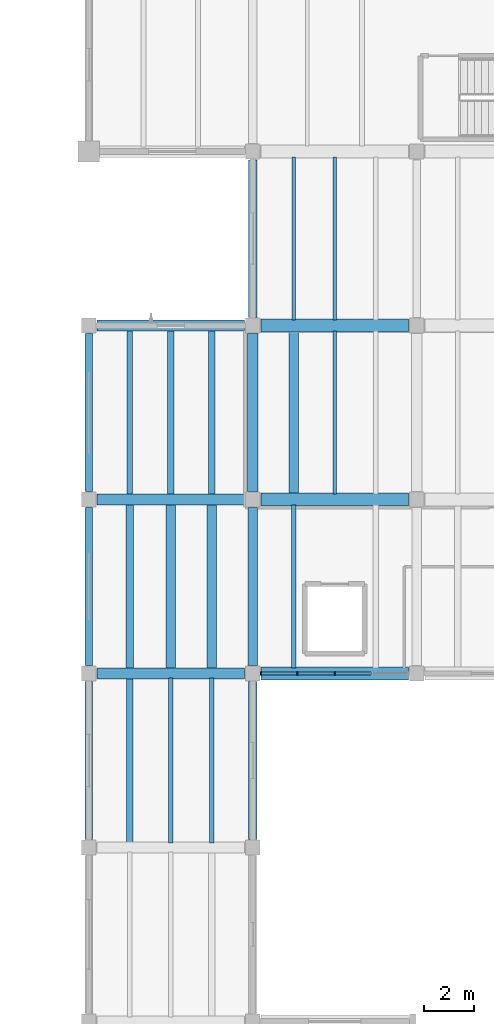
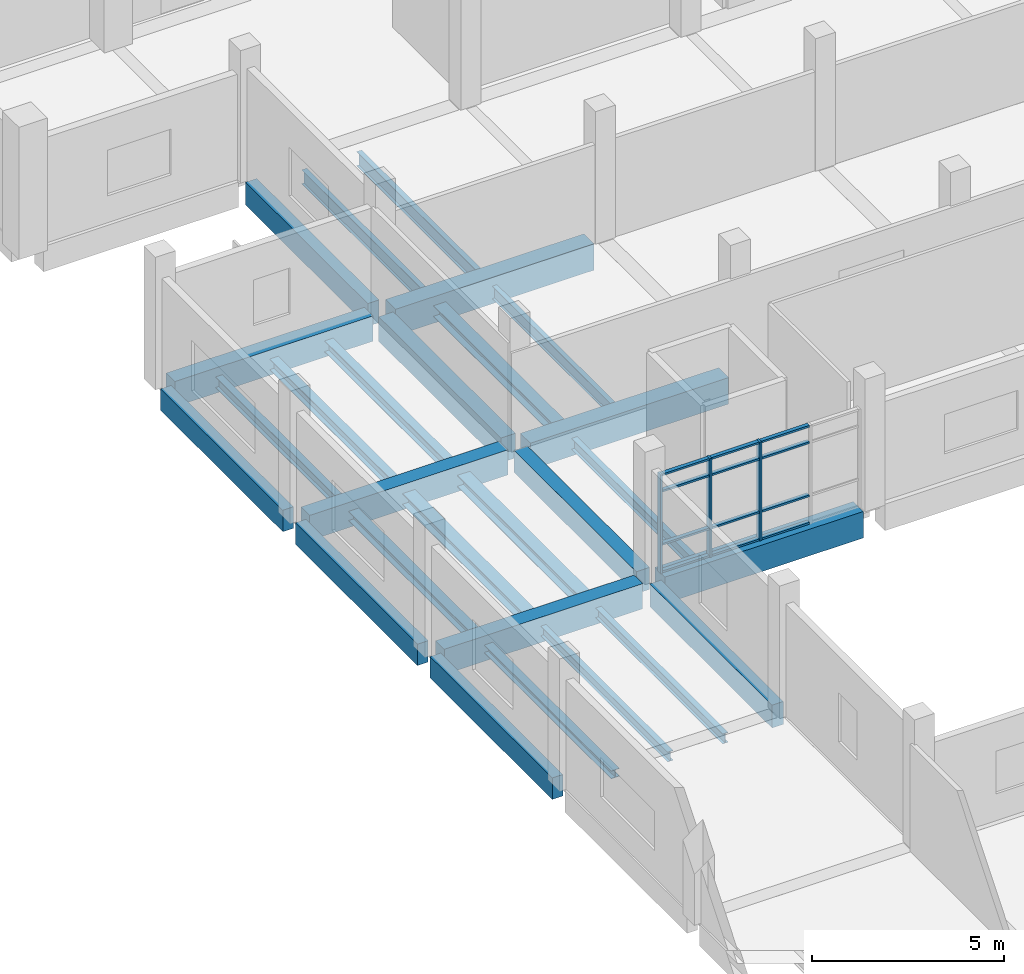
# One storey, part 22 of 68: 27 beams, 15 members, 1 element without a shape of its own.
"""IFC4 building model written with IfcOpenShell, lengths in metres."""

from ifc_helpers import new_model, si_unit, direction, frame, origin, origin_2d, place, context, subcontext, project, spatial, rectangle, i_section, extrude, material, material_profile, profile_set, type_object, element, aggregate, save


model = new_model("IFC4")

# Units and contexts
model_context = context("Model", 3, precision=1e-05, world=origin(), true_north=direction((0.0, 1.0)))
body_context = subcontext(model_context, "Body", "Model", "MODEL_VIEW")
ifc_project = project(units=[si_unit("LENGTHUNIT", "METRE"), si_unit("AREAUNIT", "SQUARE_METRE"), si_unit("VOLUMEUNIT", "CUBIC_METRE"), si_unit("PLANEANGLEUNIT", "RADIAN"), si_unit("MASSUNIT", "GRAM", prefix="KILO")], contexts=[model_context])

# Site, building, storey
site_placement = place(None, origin())
site = spatial("IfcSite", under=ifc_project, at=site_placement, CompositionType="ELEMENT")
building_placement = place(site_placement, origin())
building = spatial("IfcBuilding", under=site, at=building_placement, Name="Ciguamira Faculty of Natural Sciences", CompositionType="ELEMENT")
storey_placement = place(building_placement, frame((0.0, 0.0, 4.199951171875)))
storey = spatial("IfcBuildingStorey", under=building, at=storey_placement, Name="L01", CompositionType="ELEMENT", Elevation=4.199951171875)

# Curtain wall, members
ifc_material_1 = material(Name="Anodized aluminium curtain wall", Category="aluminium")
curtain_wall_type = type_object("IfcCurtainWallType", Name="CurtainWall_CW-04", PredefinedType="USERDEFINED", material=ifc_material_1)
curtain_wall_placement = place(storey_placement, origin())
curtain_wall = element("IfcCurtainWall", 1, at=curtain_wall_placement, inside=storey, type_object=curtain_wall_type, Name="L01 unitised curtain wall 0040", ObjectType="UNITISED CURTAIN WALL", PredefinedType="USERDEFINED")
ifc_material_2 = material(Name="Anodized aluminium mullion", Category="aluminium")
ifc_material_profile_1 = material_profile(ifc_material_2, rectangle(XDim=0.06005859375, YDim=0.159912109375, at=origin_2d()), Name="ALU-MUL-60X160")
ifc_profile_set_1 = profile_set([ifc_material_profile_1], Name="Anodized aluminium mullion")
member_type_1 = type_object("IfcMemberType", Name="CWMullion_CWM-01", PredefinedType="MULLION", material=ifc_profile_set_1)
member_1_placement = place(storey_placement, frame((64.22998046875, 73.0, 0.0), z_axis=(0.0, 0.0, 1.0), x_axis=(1.0, 0.0, 0.0)))
member_1 = element("IfcMember", 2, at=member_1_placement, type_object=member_type_1, Name="CW-04 mullion 1", PredefinedType="MULLION", context=body_context, shape_type="SweptSolid", body=[
    extrude(rectangle(XDim=0.06005859375, YDim=0.159912109375, at=origin_2d()), origin(), (0.0, 0.0, 1.0), 3.135009765625),
])
member_2_placement = place(storey_placement, frame((65.699951171875, 73.0, 0.0), z_axis=(0.0, 0.0, 1.0), x_axis=(1.0, 0.0, 0.0)))
member_2 = element("IfcMember", 3, at=member_2_placement, type_object=member_type_1, Name="CW-04 mullion 2", PredefinedType="MULLION", context=body_context, shape_type="SweptSolid", body=[
    extrude(rectangle(XDim=0.06005859375, YDim=0.159912109375, at=origin_2d()), origin(), (0.0, 0.0, 1.0), 3.135009765625),
])
member_3_placement = place(storey_placement, frame((67.199951171875, 73.0, 0.0), z_axis=(0.0, 0.0, 1.0), x_axis=(1.0, 0.0, 0.0)))
member_3 = element("IfcMember", 4, at=member_3_placement, type_object=member_type_1, Name="CW-04 mullion 3", PredefinedType="MULLION", context=body_context, shape_type="SweptSolid", body=[
    extrude(rectangle(XDim=0.06005859375, YDim=0.159912109375, at=origin_2d()), origin(), (0.0, 0.0, 1.0), 3.135009765625),
])
ifc_material_3 = material(Name="Anodized aluminium transom", Category="aluminium")
ifc_material_profile_2 = material_profile(ifc_material_3, rectangle(XDim=0.06005859375, YDim=0.1201171875, at=origin_2d()), Name="ALU-TRN-60X120")
ifc_profile_set_2 = profile_set([ifc_material_profile_2], Name="Anodized aluminium transom")
member_type_2 = type_object("IfcMemberType", Name="CWTransom_CWT-01", PredefinedType="USERDEFINED", material=ifc_profile_set_2)
member_4_placement = place(storey_placement, frame((64.260009765625, 73.0, 0.030029296875), z_axis=(1.0, 0.0, 0.0), x_axis=(0.0, 0.0, 1.0)))
member_4 = element("IfcMember", 5, at=member_4_placement, type_object=member_type_2, Name="CW-04 transom 1.1", ObjectType="TRANSOM", PredefinedType="USERDEFINED", context=body_context, shape_type="SweptSolid", body=[
    extrude(rectangle(XDim=0.06005859375, YDim=0.1201171875, at=origin_2d()), origin(), (0.0, 0.0, 1.0), 1.409912109375),
])
member_5_placement = place(storey_placement, frame((64.260009765625, 73.0, 0.900146484375), z_axis=(1.0, 0.0, 0.0), x_axis=(0.0, 0.0, 1.0)))
member_5 = element("IfcMember", 6, at=member_5_placement, type_object=member_type_2, Name="CW-04 transom 1.2", ObjectType="TRANSOM", PredefinedType="USERDEFINED", context=body_context, shape_type="SweptSolid", body=[
    extrude(rectangle(XDim=0.06005859375, YDim=0.1201171875, at=origin_2d()), origin(), (0.0, 0.0, 1.0), 1.409912109375),
])
member_6_placement = place(storey_placement, frame((64.260009765625, 73.0, 2.5849609375), z_axis=(1.0, 0.0, 0.0), x_axis=(0.0, 0.0, 1.0)))
member_6 = element("IfcMember", 7, at=member_6_placement, type_object=member_type_2, Name="CW-04 transom 1.3", ObjectType="TRANSOM", PredefinedType="USERDEFINED", context=body_context, shape_type="SweptSolid", body=[
    extrude(rectangle(XDim=0.06005859375, YDim=0.1201171875, at=origin_2d()), origin(), (0.0, 0.0, 1.0), 1.409912109375),
])
member_7_placement = place(storey_placement, frame((64.260009765625, 73.0, 3.10498046875), z_axis=(1.0, 0.0, 0.0), x_axis=(0.0, 0.0, 1.0)))
member_7 = element("IfcMember", 8, at=member_7_placement, type_object=member_type_2, Name="CW-04 transom 1.4", ObjectType="TRANSOM", PredefinedType="USERDEFINED", context=body_context, shape_type="SweptSolid", body=[
    extrude(rectangle(XDim=0.06005859375, YDim=0.1201171875, at=origin_2d()), origin(), (0.0, 0.0, 1.0), 1.409912109375),
])
member_8_placement = place(storey_placement, frame((65.72998046875, 73.0, 0.030029296875), z_axis=(1.0, 0.0, 0.0), x_axis=(0.0, 0.0, 1.0)))
member_8 = element("IfcMember", 9, at=member_8_placement, type_object=member_type_2, Name="CW-04 transom 2.1", ObjectType="TRANSOM", PredefinedType="USERDEFINED", context=body_context, shape_type="SweptSolid", body=[
    extrude(rectangle(XDim=0.06005859375, YDim=0.1201171875, at=origin_2d()), origin(), (0.0, 0.0, 1.0), 1.43994140625),
])
member_9_placement = place(storey_placement, frame((65.72998046875, 73.0, 0.900146484375), z_axis=(1.0, 0.0, 0.0), x_axis=(0.0, 0.0, 1.0)))
member_9 = element("IfcMember", 10, at=member_9_placement, type_object=member_type_2, Name="CW-04 transom 2.2", ObjectType="TRANSOM", PredefinedType="USERDEFINED", context=body_context, shape_type="SweptSolid", body=[
    extrude(rectangle(XDim=0.06005859375, YDim=0.1201171875, at=origin_2d()), origin(), (0.0, 0.0, 1.0), 1.43994140625),
])
member_10_placement = place(storey_placement, frame((65.72998046875, 73.0, 2.5849609375), z_axis=(1.0, 0.0, 0.0), x_axis=(0.0, 0.0, 1.0)))
member_10 = element("IfcMember", 11, at=member_10_placement, type_object=member_type_2, Name="CW-04 transom 2.3", ObjectType="TRANSOM", PredefinedType="USERDEFINED", context=body_context, shape_type="SweptSolid", body=[
    extrude(rectangle(XDim=0.06005859375, YDim=0.1201171875, at=origin_2d()), origin(), (0.0, 0.0, 1.0), 1.43994140625),
])
member_11_placement = place(storey_placement, frame((65.72998046875, 73.0, 3.10498046875), z_axis=(1.0, 0.0, 0.0), x_axis=(0.0, 0.0, 1.0)))
member_11 = element("IfcMember", 12, at=member_11_placement, type_object=member_type_2, Name="CW-04 transom 2.4", ObjectType="TRANSOM", PredefinedType="USERDEFINED", context=body_context, shape_type="SweptSolid", body=[
    extrude(rectangle(XDim=0.06005859375, YDim=0.1201171875, at=origin_2d()), origin(), (0.0, 0.0, 1.0), 1.43994140625),
])
member_12_placement = place(storey_placement, frame((67.22998046875, 73.0, 0.030029296875), z_axis=(1.0, 0.0, 0.0), x_axis=(0.0, 0.0, 1.0)))
member_12 = element("IfcMember", 13, at=member_12_placement, type_object=member_type_2, Name="CW-04 transom 3.1", ObjectType="TRANSOM", PredefinedType="USERDEFINED", context=body_context, shape_type="SweptSolid", body=[
    extrude(rectangle(XDim=0.06005859375, YDim=0.1201171875, at=origin_2d()), origin(), (0.0, 0.0, 1.0), 1.43994140625),
])
member_13_placement = place(storey_placement, frame((67.22998046875, 73.0, 0.900146484375), z_axis=(1.0, 0.0, 0.0), x_axis=(0.0, 0.0, 1.0)))
member_13 = element("IfcMember", 14, at=member_13_placement, type_object=member_type_2, Name="CW-04 transom 3.2", ObjectType="TRANSOM", PredefinedType="USERDEFINED", context=body_context, shape_type="SweptSolid", body=[
    extrude(rectangle(XDim=0.06005859375, YDim=0.1201171875, at=origin_2d()), origin(), (0.0, 0.0, 1.0), 1.43994140625),
])
member_14_placement = place(storey_placement, frame((67.22998046875, 73.0, 2.5849609375), z_axis=(1.0, 0.0, 0.0), x_axis=(0.0, 0.0, 1.0)))
member_14 = element("IfcMember", 15, at=member_14_placement, type_object=member_type_2, Name="CW-04 transom 3.3", ObjectType="TRANSOM", PredefinedType="USERDEFINED", context=body_context, shape_type="SweptSolid", body=[
    extrude(rectangle(XDim=0.06005859375, YDim=0.1201171875, at=origin_2d()), origin(), (0.0, 0.0, 1.0), 1.43994140625),
])
member_15_placement = place(storey_placement, frame((67.22998046875, 73.0, 3.10498046875), z_axis=(1.0, 0.0, 0.0), x_axis=(0.0, 0.0, 1.0)))
member_15 = element("IfcMember", 16, at=member_15_placement, type_object=member_type_2, Name="CW-04 transom 3.4", ObjectType="TRANSOM", PredefinedType="USERDEFINED", context=body_context, shape_type="SweptSolid", body=[
    extrude(rectangle(XDim=0.06005859375, YDim=0.1201171875, at=origin_2d()), origin(), (0.0, 0.0, 1.0), 1.43994140625),
])
aggregate(curtain_wall, [member_1, member_2, member_3, member_4, member_5, member_6, member_7, member_8, member_9, member_10, member_11, member_12, member_13, member_14, member_15])

# Beams
ifc_material_4 = material(Name="Concrete C40/50", Category="concrete")
ifc_material_profile_3 = material_profile(ifc_material_4, rectangle(XDim=0.449951171875, YDim=0.800048828125, at=origin_2d()), Name="RC-BM-450X800")
ifc_profile_set_3 = profile_set([ifc_material_profile_3], Name="Concrete C40/50")
beam_type_1 = type_object("IfcBeamType", Name="RCBeam_BG-05_RC-BM-450X800", PredefinedType="BEAM", material=ifc_profile_set_3)
for number, where, z_axis, x_axis, name in (
    (17, (57.625, 73.0, -0.39990234375), (1.0, 0.0, 0.0), (0.0, 1.0, 0.0), "L01 RC girder EW-0486"),
    (18, (57.625, 80.0, -0.39990234375), (1.0, 0.0, 0.0), (0.0, 1.0, 0.0), "L01 RC girder EW-0495"),
    (19, (57.625, 87.0, -0.39990234375), (1.0, 0.0, 0.0), (0.0, 1.0, 0.0), "L01 RC girder EW-0504"),
):
    element("IfcBeam", number, at=place(storey_placement, frame(where, z_axis=z_axis, x_axis=x_axis)), inside=storey, type_object=beam_type_1, Name=name, PredefinedType="BEAM", context=body_context, shape_type="SweptSolid", body=[
        extrude(rectangle(XDim=0.449951171875, YDim=0.800048828125, at=origin_2d()), origin(), (0.0, 0.0, 1.0), 5.949951171875),
    ])
ifc_material_profile_4 = material_profile(ifc_material_4, rectangle(XDim=0.43994140625, YDim=0.780029296875, at=origin_2d()), Name="RC-BM-440X780")
ifc_profile_set_4 = profile_set([ifc_material_profile_4], Name="Concrete C40/50")
beam_type_2 = type_object("IfcBeamType", Name="RCBeam_BG-06_RC-BM-440X780", PredefinedType="BEAM", material=ifc_profile_set_4)
beam_1_placement = place(storey_placement, frame((63.89990234375, 80.324951171875, -0.389892578125), z_axis=(0.0, 1.0, 0.0), x_axis=(-1.0, 0.0, 0.0)))
element("IfcBeam", 20, at=beam_1_placement, inside=storey, type_object=beam_type_2, Name="L01 girder NS-0590", PredefinedType="BEAM", context=body_context, shape_type="SweptSolid", body=[
    extrude(rectangle(XDim=0.43994140625, YDim=0.780029296875, at=origin_2d()), origin(), (0.0, 0.0, 1.0), 6.35009765625),
])
ifc_material_profile_5 = material_profile(ifc_material_4, rectangle(XDim=0.39990234375, YDim=0.699951171875, at=origin_2d()), Name="RC-BM-400X700")
ifc_profile_set_5 = profile_set([ifc_material_profile_5], Name="Concrete C40/50")
beam_type_3 = type_object("IfcBeamType", Name="RCBeam_BG-08_RC-BM-400X700", PredefinedType="BEAM", material=ifc_profile_set_5)
beam_2_placement = place(storey_placement, frame((63.89990234375, 73.324951171875, -0.349853515625), z_axis=(0.0, 1.0, 0.0), x_axis=(-1.0, 0.0, 0.0)))
element("IfcBeam", 21, at=beam_2_placement, inside=storey, type_object=beam_type_3, Name="L01 girder NS-0589", PredefinedType="BEAM", context=body_context, shape_type="SweptSolid", body=[
    extrude(rectangle(XDim=0.39990234375, YDim=0.699951171875, at=origin_2d()), origin(), (0.0, 0.0, 1.0), 6.35009765625),
])
ifc_material_5 = material(Name="Precast concrete C40/50", Category="concrete")
ifc_material_profile_6 = material_profile(ifc_material_5, rectangle(XDim=0.320068359375, YDim=0.679931640625, at=origin_2d()), Name="RC-SP-320X680")
ifc_profile_set_6 = profile_set([ifc_material_profile_6], Name="Precast concrete C40/50")
beam_type_4 = type_object("IfcBeamType", Name="RCBeam_SP-02_RC-SP-320X680", PredefinedType="SPANDREL", material=ifc_profile_set_6)
for number, where, z_axis, x_axis, name in (
    (22, (57.300048828125, 66.324951171875, -0.33984375), (0.0, 1.0, 0.0), (-1.0, 0.0, 0.0), "L01 girder NS-0576"),
    (23, (57.300048828125, 73.324951171875, -0.33984375), (0.0, 1.0, 0.0), (-1.0, 0.0, 0.0), "L01 girder NS-0577"),
    (24, (57.300048828125, 80.324951171875, -0.33984375), (0.0, 1.0, 0.0), (-1.0, 0.0, 0.0), "L01 girder NS-0578"),
):
    element("IfcBeam", number, at=place(storey_placement, frame(where, z_axis=z_axis, x_axis=x_axis)), inside=storey, type_object=beam_type_4, Name=name, PredefinedType="SPANDREL", context=body_context, shape_type="SweptSolid", body=[
        extrude(rectangle(XDim=0.320068359375, YDim=0.679931640625, at=origin_2d()), origin(), (0.0, 0.0, 1.0), 6.35009765625),
    ])
ifc_material_profile_7 = material_profile(ifc_material_5, rectangle(XDim=0.340087890625, YDim=0.719970703125, at=origin_2d()), Name="RC-SP-340X720")
ifc_profile_set_7 = profile_set([ifc_material_profile_7], Name="Precast concrete C40/50")
beam_type_5 = type_object("IfcBeamType", Name="RCBeam_SP-03_RC-SP-340X720", PredefinedType="SPANDREL", material=ifc_profile_set_7)
for number, where, z_axis, x_axis, name in (
    (25, (63.89990234375, 66.324951171875, -0.35986328125), (0.0, 1.0, 0.0), (-1.0, 0.0, 0.0), "L01 girder NS-0588"),
    (26, (63.89990234375, 87.324951171875, -0.35986328125), (0.0, 1.0, 0.0), (-1.0, 0.0, 0.0), "L01 girder NS-0591"),
):
    element("IfcBeam", number, at=place(storey_placement, frame(where, z_axis=z_axis, x_axis=x_axis)), inside=storey, type_object=beam_type_5, Name=name, PredefinedType="SPANDREL", context=body_context, shape_type="SweptSolid", body=[
        extrude(rectangle(XDim=0.340087890625, YDim=0.719970703125, at=origin_2d()), origin(), (0.0, 0.0, 1.0), 6.35009765625),
    ])
ifc_material_profile_8 = material_profile(ifc_material_4, rectangle(XDim=0.52001953125, YDim=0.840087890625, at=origin_2d()), Name="RC-TB-520X840")
ifc_profile_set_8 = profile_set([ifc_material_profile_8], Name="Concrete C40/50")
beam_type_6 = type_object("IfcBeamType", Name="RCBeam_TB-02_RC-TB-520X840", PredefinedType="T_BEAM", material=ifc_profile_set_8)
for number, where, z_axis, x_axis, name in (
    (27, (64.22509765625, 73.0, -0.419921875), (1.0, 0.0, 0.0), (0.0, 1.0, 0.0), "L01 RC girder EW-0487"),
    (28, (64.22509765625, 80.0, -0.419921875), (1.0, 0.0, 0.0), (0.0, 1.0, 0.0), "L01 RC girder EW-0496"),
    (29, (64.22509765625, 87.0, -0.419921875), (1.0, 0.0, 0.0), (0.0, 1.0, 0.0), "L01 RC girder EW-0505"),
):
    element("IfcBeam", number, at=place(storey_placement, frame(where, z_axis=z_axis, x_axis=x_axis)), inside=storey, type_object=beam_type_6, Name=name, PredefinedType="T_BEAM", context=body_context, shape_type="SweptSolid", body=[
        extrude(rectangle(XDim=0.52001953125, YDim=0.840087890625, at=origin_2d()), origin(), (0.0, 0.0, 1.0), 5.949951171875),
    ])
ifc_material_6 = material(Name="Steel ASTM A992 Grade 50", Category="steel")
ifc_material_profile_9 = material_profile(ifc_material_6, i_section(OverallWidth=0.25390625, OverallDepth=0.25390625, WebThickness=0.008544921875, FlangeThickness=0.01416015625, at=origin_2d()), Name="W10X49")
ifc_profile_set_9 = profile_set([ifc_material_profile_9], Name="Steel ASTM A992 Grade 50")
beam_type_7 = type_object("IfcBeamType", Name="SteelJoist_SJ-03_W10X49", PredefinedType="JOIST", material=ifc_profile_set_9)
beam_3_placement = place(storey_placement, frame((58.949951171875, 66.18505859375, -0.406982421875), z_axis=(0.0, 1.0, 0.0), x_axis=(-1.0, 0.0, 0.0)))
element("IfcBeam", 30, at=beam_3_placement, inside=storey, type_object=beam_type_7, Name="L01 composite steel joist 00399", PredefinedType="JOIST", context=body_context, shape_type="SweptSolid", body=[
    extrude(i_section(OverallWidth=0.25390625, OverallDepth=0.25390625, WebThickness=0.008544921875, FlangeThickness=0.01416015625, at=origin_2d()), origin(), (0.0, 0.0, 1.0), 6.6298828125),
])
ifc_material_profile_10 = material_profile(ifc_material_6, i_section(OverallWidth=0.164794921875, OverallDepth=0.309814453125, WebThickness=0.005859375, FlangeThickness=0.009765625, at=origin_2d()), Name="W12X26")
ifc_profile_set_10 = profile_set([ifc_material_profile_10], Name="Steel ASTM A992 Grade 50")
beam_type_8 = type_object("IfcBeamType", Name="SteelJoist_SJ-04_W12X26", PredefinedType="JOIST", material=ifc_profile_set_10)
beam_4_placement = place(storey_placement, frame((60.60009765625, 66.18505859375, -0.434814453125), z_axis=(0.0, 1.0, 0.0), x_axis=(-1.0, 0.0, 0.0)))
element("IfcBeam", 31, at=beam_4_placement, inside=storey, type_object=beam_type_8, Name="L01 composite steel joist 00400", PredefinedType="JOIST", context=body_context, shape_type="SweptSolid", body=[
    extrude(i_section(OverallWidth=0.164794921875, OverallDepth=0.309814453125, WebThickness=0.005859375, FlangeThickness=0.009765625, at=origin_2d()), origin(), (0.0, 0.0, 1.0), 6.6298828125),
])
ifc_material_profile_11 = material_profile(ifc_material_6, i_section(OverallWidth=0.16650390625, OverallDepth=0.3173828125, WebThickness=0.007568359375, FlangeThickness=0.01318359375, at=origin_2d()), Name="W12X35")
ifc_profile_set_11 = profile_set([ifc_material_profile_11], Name="Steel ASTM A992 Grade 50")
beam_type_9 = type_object("IfcBeamType", Name="SteelJoist_SJ-05_W12X35", PredefinedType="JOIST", material=ifc_profile_set_11)
beam_5_placement = place(storey_placement, frame((62.25, 66.18505859375, -0.438720703125), z_axis=(0.0, 1.0, 0.0), x_axis=(-1.0, 0.0, 0.0)))
element("IfcBeam", 32, at=beam_5_placement, inside=storey, type_object=beam_type_9, Name="L01 composite steel joist 00401", PredefinedType="JOIST", context=body_context, shape_type="SweptSolid", body=[
    extrude(i_section(OverallWidth=0.16650390625, OverallDepth=0.3173828125, WebThickness=0.007568359375, FlangeThickness=0.01318359375, at=origin_2d()), origin(), (0.0, 0.0, 1.0), 6.6298828125),
])
ifc_material_profile_12 = material_profile(ifc_material_6, i_section(OverallWidth=0.3046875, OverallDepth=0.307373046875, WebThickness=0.010009765625, FlangeThickness=0.015380859375, at=origin_2d()), Name="W12X65")
ifc_profile_set_12 = profile_set([ifc_material_profile_12], Name="Steel ASTM A992 Grade 50")
beam_type_10 = type_object("IfcBeamType", Name="SteelJoist_SJ-08_W12X65", PredefinedType="JOIST", material=ifc_profile_set_12)
beam_6_placement = place(storey_placement, frame((58.949951171875, 73.18505859375, -0.43359375), z_axis=(0.0, 1.0, 0.0), x_axis=(-1.0, 0.0, 0.0)))
element("IfcBeam", 33, at=beam_6_placement, inside=storey, type_object=beam_type_10, Name="L01 composite steel joist 00402", PredefinedType="JOIST", context=body_context, shape_type="SweptSolid", body=[
    extrude(i_section(OverallWidth=0.3046875, OverallDepth=0.307373046875, WebThickness=0.010009765625, FlangeThickness=0.015380859375, at=origin_2d()), origin(), (0.0, 0.0, 1.0), 6.6298828125),
])
ifc_material_profile_13 = material_profile(ifc_material_6, i_section(OverallWidth=0.370849609375, OverallDepth=0.36328125, WebThickness=0.013427734375, FlangeThickness=0.021728515625, at=origin_2d()), Name="W14X109")
ifc_profile_set_13 = profile_set([ifc_material_profile_13], Name="Steel ASTM A992 Grade 50")
beam_type_11 = type_object("IfcBeamType", Name="SteelJoist_SJ-09_W14X109", PredefinedType="JOIST", material=ifc_profile_set_13)
beam_7_placement = place(storey_placement, frame((60.60009765625, 73.18505859375, -0.461669921875), z_axis=(0.0, 1.0, 0.0), x_axis=(-1.0, 0.0, 0.0)))
element("IfcBeam", 34, at=beam_7_placement, inside=storey, type_object=beam_type_11, Name="L01 composite steel joist 00403", PredefinedType="JOIST", context=body_context, shape_type="SweptSolid", body=[
    extrude(i_section(OverallWidth=0.370849609375, OverallDepth=0.36328125, WebThickness=0.013427734375, FlangeThickness=0.021728515625, at=origin_2d()), origin(), (0.0, 0.0, 1.0), 6.6298828125),
])
ifc_material_profile_14 = material_profile(ifc_material_6, i_section(OverallWidth=0.373291015625, OverallDepth=0.373291015625, WebThickness=0.016357421875, FlangeThickness=0.026123046875, at=origin_2d()), Name="W14X132")
ifc_profile_set_14 = profile_set([ifc_material_profile_14], Name="Steel ASTM A992 Grade 50")
beam_type_12 = type_object("IfcBeamType", Name="SteelJoist_SJ-10_W14X132", PredefinedType="JOIST", material=ifc_profile_set_14)
beam_8_placement = place(storey_placement, frame((62.25, 73.18505859375, -0.466552734375), z_axis=(0.0, 1.0, 0.0), x_axis=(-1.0, 0.0, 0.0)))
element("IfcBeam", 35, at=beam_8_placement, inside=storey, type_object=beam_type_12, Name="L01 composite steel joist 00404", PredefinedType="JOIST", context=body_context, shape_type="SweptSolid", body=[
    extrude(i_section(OverallWidth=0.373291015625, OverallDepth=0.373291015625, WebThickness=0.016357421875, FlangeThickness=0.026123046875, at=origin_2d()), origin(), (0.0, 0.0, 1.0), 6.6298828125),
])
ifc_material_profile_15 = material_profile(ifc_material_6, i_section(OverallWidth=0.1708984375, OverallDepth=0.3505859375, WebThickness=0.0068359375, FlangeThickness=0.009765625, at=origin_2d()), Name="W14X30")
ifc_profile_set_15 = profile_set([ifc_material_profile_15], Name="Steel ASTM A992 Grade 50")
beam_type_13 = type_object("IfcBeamType", Name="SteelJoist_SJ-11_W14X30", PredefinedType="JOIST", material=ifc_profile_set_15)
beam_9_placement = place(storey_placement, frame((65.550048828125, 73.219970703125, -0.455322265625), z_axis=(0.0, 1.0, 0.0), x_axis=(-1.0, 0.0, 0.0)))
element("IfcBeam", 36, at=beam_9_placement, inside=storey, type_object=beam_type_13, Name="L01 composite steel joist 00429", PredefinedType="JOIST", context=body_context, shape_type="SweptSolid", body=[
    extrude(i_section(OverallWidth=0.1708984375, OverallDepth=0.3505859375, WebThickness=0.0068359375, FlangeThickness=0.009765625, at=origin_2d()), origin(), (0.0, 0.0, 1.0), 6.56005859375),
])
ifc_material_profile_16 = material_profile(ifc_material_6, i_section(OverallWidth=0.204833984375, OverallDepth=0.35302734375, WebThickness=0.00927734375, FlangeThickness=0.016845703125, at=origin_2d()), Name="W14X53")
ifc_profile_set_16 = profile_set([ifc_material_profile_16], Name="Steel ASTM A992 Grade 50")
beam_type_14 = type_object("IfcBeamType", Name="SteelJoist_SJ-13_W14X53", PredefinedType="JOIST", material=ifc_profile_set_16)
beam_10_placement = place(storey_placement, frame((58.949951171875, 80.18505859375, -0.45654296875), z_axis=(0.0, 1.0, 0.0), x_axis=(-1.0, 0.0, 0.0)))
element("IfcBeam", 37, at=beam_10_placement, inside=storey, type_object=beam_type_14, Name="L01 composite steel joist 00405", PredefinedType="JOIST", context=body_context, shape_type="SweptSolid", body=[
    extrude(i_section(OverallWidth=0.204833984375, OverallDepth=0.35302734375, WebThickness=0.00927734375, FlangeThickness=0.016845703125, at=origin_2d()), origin(), (0.0, 0.0, 1.0), 6.6298828125),
])
ifc_material_profile_17 = material_profile(ifc_material_6, i_section(OverallWidth=0.25390625, OverallDepth=0.355712890625, WebThickness=0.010498046875, FlangeThickness=0.018310546875, at=origin_2d()), Name="W14X68")
ifc_profile_set_17 = profile_set([ifc_material_profile_17], Name="Steel ASTM A992 Grade 50")
beam_type_15 = type_object("IfcBeamType", Name="SteelJoist_SJ-14_W14X68", PredefinedType="JOIST", material=ifc_profile_set_17)
beam_11_placement = place(storey_placement, frame((60.60009765625, 80.18505859375, -0.457763671875), z_axis=(0.0, 1.0, 0.0), x_axis=(-1.0, 0.0, 0.0)))
element("IfcBeam", 38, at=beam_11_placement, inside=storey, type_object=beam_type_15, Name="L01 composite steel joist 00406", PredefinedType="JOIST", context=body_context, shape_type="SweptSolid", body=[
    extrude(i_section(OverallWidth=0.25390625, OverallDepth=0.355712890625, WebThickness=0.010498046875, FlangeThickness=0.018310546875, at=origin_2d()), origin(), (0.0, 0.0, 1.0), 6.6298828125),
])
ifc_material_profile_18 = material_profile(ifc_material_6, i_section(OverallWidth=0.256591796875, OverallDepth=0.36328125, WebThickness=0.012939453125, FlangeThickness=0.021728515625, at=origin_2d()), Name="W14X82")
ifc_profile_set_18 = profile_set([ifc_material_profile_18], Name="Steel ASTM A992 Grade 50")
beam_type_16 = type_object("IfcBeamType", Name="SteelJoist_SJ-15_W14X82", PredefinedType="JOIST", material=ifc_profile_set_18)
beam_12_placement = place(storey_placement, frame((62.25, 80.18505859375, -0.461669921875), z_axis=(0.0, 1.0, 0.0), x_axis=(-1.0, 0.0, 0.0)))
element("IfcBeam", 39, at=beam_12_placement, inside=storey, type_object=beam_type_16, Name="L01 composite steel joist 00407", PredefinedType="JOIST", context=body_context, shape_type="SweptSolid", body=[
    extrude(i_section(OverallWidth=0.256591796875, OverallDepth=0.36328125, WebThickness=0.012939453125, FlangeThickness=0.021728515625, at=origin_2d()), origin(), (0.0, 0.0, 1.0), 6.6298828125),
])
ifc_material_profile_19 = material_profile(ifc_material_6, i_section(OverallWidth=0.368408203125, OverallDepth=0.355712890625, WebThickness=0.01123046875, FlangeThickness=0.01806640625, at=origin_2d()), Name="W14X90")
ifc_profile_set_19 = profile_set([ifc_material_profile_19], Name="Steel ASTM A992 Grade 50")
beam_type_17 = type_object("IfcBeamType", Name="SteelJoist_SJ-16_W14X90", PredefinedType="JOIST", material=ifc_profile_set_19)
beam_13_placement = place(storey_placement, frame((65.550048828125, 80.219970703125, -0.457763671875), z_axis=(0.0, 1.0, 0.0), x_axis=(-1.0, 0.0, 0.0)))
element("IfcBeam", 40, at=beam_13_placement, inside=storey, type_object=beam_type_17, Name="L01 composite steel joist 00431", PredefinedType="JOIST", context=body_context, shape_type="SweptSolid", body=[
    extrude(i_section(OverallWidth=0.368408203125, OverallDepth=0.355712890625, WebThickness=0.01123046875, FlangeThickness=0.01806640625, at=origin_2d()), origin(), (0.0, 0.0, 1.0), 6.56005859375),
])
ifc_material_profile_20 = material_profile(ifc_material_6, i_section(OverallWidth=0.140380859375, OverallDepth=0.40380859375, WebThickness=0.007080078125, FlangeThickness=0.01123046875, at=origin_2d()), Name="W16X31")
ifc_profile_set_20 = profile_set([ifc_material_profile_20], Name="Steel ASTM A992 Grade 50")
beam_type_18 = type_object("IfcBeamType", Name="SteelJoist_SJ-17_W16X31", PredefinedType="JOIST", material=ifc_profile_set_20)
beam_14_placement = place(storey_placement, frame((67.199951171875, 80.219970703125, -0.48193359375), z_axis=(0.0, 1.0, 0.0), x_axis=(-1.0, 0.0, 0.0)))
element("IfcBeam", 41, at=beam_14_placement, inside=storey, type_object=beam_type_18, Name="L01 composite steel joist 00432", PredefinedType="JOIST", context=body_context, shape_type="SweptSolid", body=[
    extrude(i_section(OverallWidth=0.140380859375, OverallDepth=0.40380859375, WebThickness=0.007080078125, FlangeThickness=0.01123046875, at=origin_2d()), origin(), (0.0, 0.0, 1.0), 6.56005859375),
])
ifc_material_profile_21 = material_profile(ifc_material_6, i_section(OverallWidth=0.15234375, OverallDepth=0.449462890625, WebThickness=0.007568359375, FlangeThickness=0.0107421875, at=origin_2d()), Name="W18X35")
ifc_profile_set_21 = profile_set([ifc_material_profile_21], Name="Steel ASTM A992 Grade 50")
beam_type_19 = type_object("IfcBeamType", Name="SteelJoist_SJ-21_W18X35", PredefinedType="JOIST", material=ifc_profile_set_21)
beam_15_placement = place(storey_placement, frame((65.550048828125, 87.219970703125, -0.504638671875), z_axis=(0.0, 1.0, 0.0), x_axis=(-1.0, 0.0, 0.0)))
element("IfcBeam", 42, at=beam_15_placement, inside=storey, type_object=beam_type_19, Name="L01 composite steel joist 00434", PredefinedType="JOIST", context=body_context, shape_type="SweptSolid", body=[
    extrude(i_section(OverallWidth=0.15234375, OverallDepth=0.449462890625, WebThickness=0.007568359375, FlangeThickness=0.0107421875, at=origin_2d()), origin(), (0.0, 0.0, 1.0), 6.56005859375),
])
ifc_material_profile_22 = material_profile(ifc_material_6, i_section(OverallWidth=0.15283203125, OverallDepth=0.45458984375, WebThickness=0.008056640625, FlangeThickness=0.013427734375, at=origin_2d()), Name="W18X40")
ifc_profile_set_22 = profile_set([ifc_material_profile_22], Name="Steel ASTM A992 Grade 50")
beam_type_20 = type_object("IfcBeamType", Name="SteelJoist_SJ-22_W18X40", PredefinedType="JOIST", material=ifc_profile_set_22)
beam_16_placement = place(storey_placement, frame((67.199951171875, 87.219970703125, -0.50732421875), z_axis=(0.0, 1.0, 0.0), x_axis=(-1.0, 0.0, 0.0)))
element("IfcBeam", 43, at=beam_16_placement, inside=storey, type_object=beam_type_20, Name="L01 composite steel joist 00435", PredefinedType="JOIST", context=body_context, shape_type="SweptSolid", body=[
    extrude(i_section(OverallWidth=0.15283203125, OverallDepth=0.45458984375, WebThickness=0.008056640625, FlangeThickness=0.013427734375, at=origin_2d()), origin(), (0.0, 0.0, 1.0), 6.56005859375),
])

save(model, "model.ifc")
